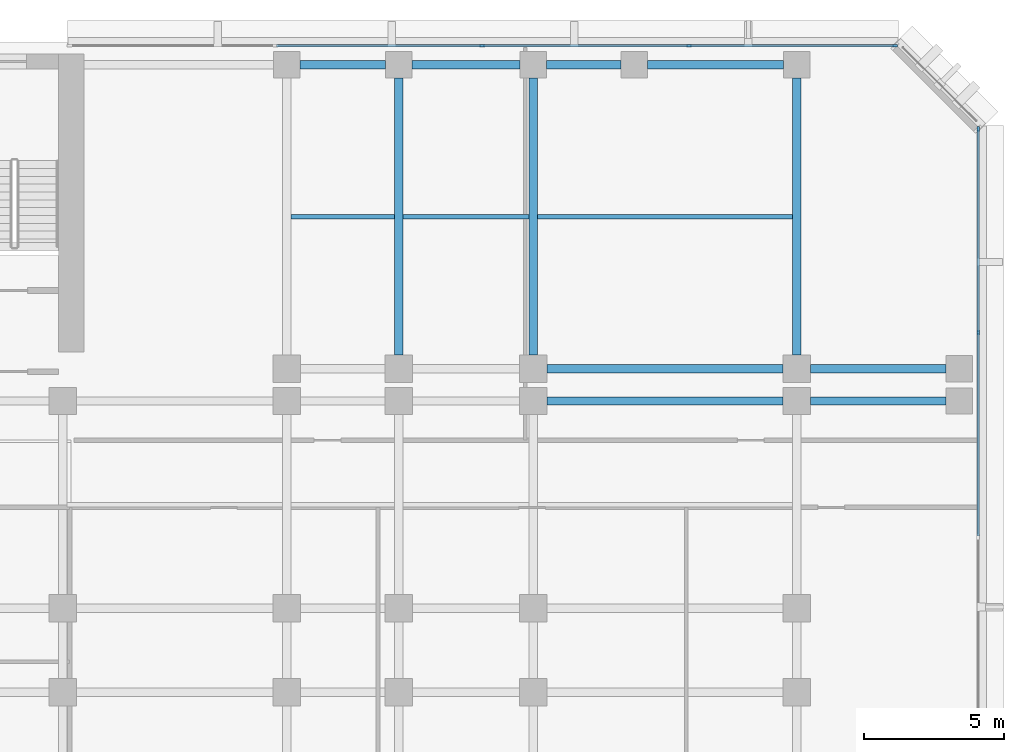
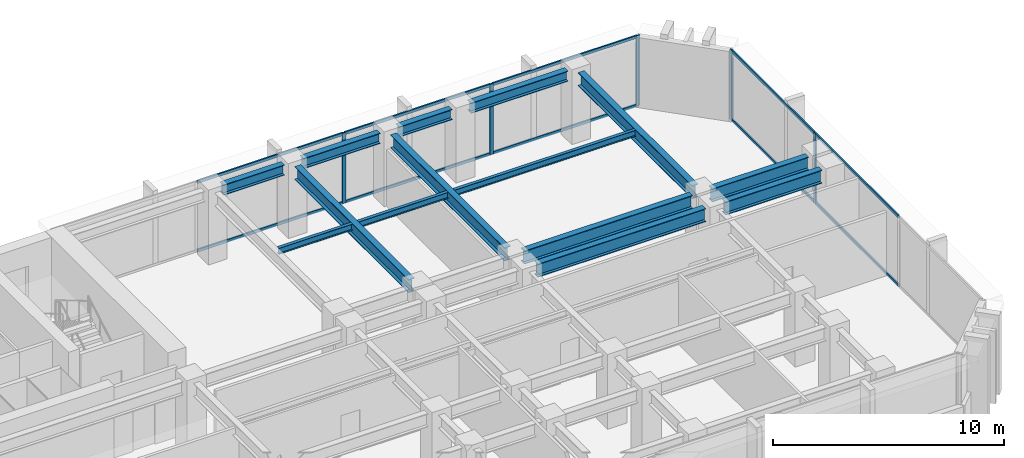
# One storey, part 5 of 14: 15 members, 14 beams, 2 elements without a shape of their own.
"""IFC4 building model written with IfcOpenShell, lengths in metres."""

import ifcopenshell
import ifcopenshell.guid

model = None  # the IFC model being written
_history = None  # IfcOwnerHistory: only IFC2X3 demands one
_inside = {}  # id of a spatial element -> (the spatial element, [elements in it])
_under = {}  # id of a project, library or spatial element -> (it, [spatial elements below it])
_declared = {}  # id of a project -> (the project, [libraries it declares])
_typed = {}  # id of a type object -> (the type object, [elements of that type])
_made_of = {}  # id of a material, layer set ... -> (it, [elements and type objects made of it])


def new_model(schema):
    """Start an empty IFC model of exactly this schema.

    Asked for "IFC4X3", IfcOpenShell would pick the latest addendum, in which some entities
    have other attributes; the version numbers below select the first issue.
    IFC2X3 requires an IfcOwnerHistory on every rooted entity: one is made here for all.
    """
    global model, _history
    if schema == "IFC4X3":
        model = ifcopenshell.file(schema_version=(4, 3, 0, 0))
    else:
        model = ifcopenshell.file(schema=schema)
    _inside.clear()
    _under.clear()
    _declared.clear()
    _typed.clear()
    _made_of.clear()
    _history = None
    if model.schema == "IFC2X3":
        org = make("IfcOrganization", Name="unknown")
        user = make(
            "IfcPersonAndOrganization",
            ThePerson=make("IfcPerson", FamilyName="unknown"),
            TheOrganization=org,
        )
        app = make(
            "IfcApplication",
            ApplicationDeveloper=org,
            Version="unknown",
            ApplicationFullName="unknown",
            ApplicationIdentifier="unknown",
        )
        _history = make(
            "IfcOwnerHistory",
            OwningUser=user,
            OwningApplication=app,
            ChangeAction="ADDED",
            CreationDate=0,
        )
    return model


def make(cls, **values):
    """One entity of the class cls with the attributes given. An attribute that is None is left unset."""
    return model.create_entity(
        cls, **{name: value for name, value in values.items() if value is not None}
    )


def rooted(cls, **values):
    """An entity with a GlobalId (a new one), such as an element, a storey or a relation."""
    return make(cls, GlobalId=ifcopenshell.guid.new(), OwnerHistory=_history, **values)


def si_unit(unit_type, name, prefix=None):
    """IfcSIUnit, for example si_unit("LENGTHUNIT", "METRE", prefix="MILLI")."""
    return make("IfcSIUnit", UnitType=unit_type, Prefix=prefix, Name=name)


def assignment(units):
    """IfcUnitAssignment: the units of a project."""
    return None if units is None else make("IfcUnitAssignment", Units=units)


def point(xyz):
    """IfcCartesianPoint."""
    return None if xyz is None else make("IfcCartesianPoint", Coordinates=xyz)


def direction(xyz):
    """IfcDirection."""
    return None if xyz is None else make("IfcDirection", DirectionRatios=xyz)


def frame(location, z_axis=None, x_axis=None):
    """IfcAxis2Placement3D, a coordinate frame: its origin and axes. An axis left out is left unset."""
    return make(
        "IfcAxis2Placement3D",
        Location=point(location),
        Axis=direction(z_axis),
        RefDirection=direction(x_axis),
    )


def frame_2d(location, x_axis=None):
    """IfcAxis2Placement2D, a coordinate frame in the plane: its origin and x axis."""
    return make(
        "IfcAxis2Placement2D", Location=point(location), RefDirection=direction(x_axis)
    )


def origin():
    """The frame at (0, 0, 0) with its axes left unset."""
    return frame((0.0, 0.0, 0.0))


def origin_2d():
    """The frame at (0, 0) in the plane with its x axis left unset."""
    return frame_2d((0.0, 0.0))


def place(relative_to, where):
    """IfcLocalPlacement: puts the frame where relative to a parent placement (None: the world)."""
    return make(
        "IfcLocalPlacement", PlacementRelTo=relative_to, RelativePlacement=where
    )


def context(
    kind, dimensions, precision=None, world=None, true_north=None, identifier=None
):
    """IfcGeometricRepresentationContext, for example the 3D "Model" context."""
    return make(
        "IfcGeometricRepresentationContext",
        ContextIdentifier=identifier,
        ContextType=kind,
        CoordinateSpaceDimension=dimensions,
        Precision=precision,
        WorldCoordinateSystem=world,
        TrueNorth=true_north,
    )


def subcontext(parent, identifier, kind, view, scale=None):
    """IfcGeometricRepresentationSubContext, for example "Body" below "Model"."""
    return make(
        "IfcGeometricRepresentationSubContext",
        ContextIdentifier=identifier,
        ContextType=kind,
        ParentContext=parent,
        TargetScale=scale,
        TargetView=view,
    )


def project(units=None, contexts=None):
    """IfcProject with its units and contexts."""
    return rooted(
        "IfcProject",
        Name="project",
        RepresentationContexts=contexts,
        UnitsInContext=assignment(units),
    )


def spatial(cls, under=None, at=None, **own):
    """A site, building, storey or space (cls), placed at a placement, below another one or the project."""
    s = rooted(cls, ObjectPlacement=at, **own)
    if under is not None:
        _under.setdefault(under.id(), (under, []))[1].append(s)
    return s


def profile(cls, at=None, kind="AREA", **sizes):
    """A parametric profile (cls). Its sizes go by their IFC names, for example OverallWidth=200.0."""
    return make(cls, ProfileType=kind, Position=at, **sizes)


def rectangle(**sizes):
    """IfcRectangleProfileDef."""
    return profile("IfcRectangleProfileDef", **sizes)


def i_section(**sizes):
    """IfcIShapeProfileDef."""
    return profile("IfcIShapeProfileDef", **sizes)


def extrude(swept, where, along, depth):
    """IfcExtrudedAreaSolid: the profile swept, set in the frame where, extruded along a direction by depth."""
    return make(
        "IfcExtrudedAreaSolid",
        SweptArea=swept,
        Position=where,
        ExtrudedDirection=direction(along),
        Depth=depth,
    )


def shape(context_of_items, identifier, shape_type, items):
    """IfcShapeRepresentation: the items that make up one representation, for example the "Body"."""
    return make(
        "IfcShapeRepresentation",
        ContextOfItems=context_of_items,
        RepresentationIdentifier=identifier,
        RepresentationType=shape_type,
        Items=items,
    )


def material(Name=None, Category=None):
    """IfcMaterial."""
    return make("IfcMaterial", Name=Name, Category=Category)


def layer(
    of_material, thickness, ventilated=None, Name=None, Category=None, Priority=None
):
    """IfcMaterialLayer: one layer of a wall or slab, of a material (None: an air gap)."""
    return make(
        "IfcMaterialLayer",
        Material=of_material,
        LayerThickness=thickness,
        IsVentilated=ventilated,
        Name=Name,
        Category=Category,
        Priority=Priority,
    )


def layer_set(layers, Name=None):
    """IfcMaterialLayerSet."""
    return make("IfcMaterialLayerSet", MaterialLayers=layers, LayerSetName=Name)


def material_profile(
    of_material, cross_section, Name=None, Category=None, Priority=None
):
    """IfcMaterialProfile: a cross section and its material."""
    return make(
        "IfcMaterialProfile",
        Name=Name,
        Material=of_material,
        Profile=cross_section,
        Priority=Priority,
        Category=Category,
    )


def profile_set(profiles, Name=None, composite=None):
    """IfcMaterialProfileSet."""
    return make(
        "IfcMaterialProfileSet",
        Name=Name,
        MaterialProfiles=profiles,
        CompositeProfile=composite,
    )


def made_of(thing, what):
    """Note that an element or type object is made of a material, layer set ...; save() writes the relation."""
    if what is not None:
        _made_of.setdefault(what.id(), (what, []))[1].append(thing)
    return thing


def type_object(cls, material=None, **own):
    """A type object (cls), such as IfcWallType, which elements share."""
    return made_of(rooted(cls, **own), material)


def element(
    cls,
    number,
    at=None,
    inside=None,
    cuts=None,
    type_object=None,
    material=None,
    context=None,
    identifier="Body",
    shape_type=None,
    held_by="IfcProductDefinitionShape",
    body=None,
    shapes=None,
    **own,
):
    """One element of the class cls, such as IfcWall. Its Tag is "e" and its number.

    at: its placement. inside: the storey or other place that contains it. cuts: it is an
    opening in that element (IfcRelVoidsElement). A single representation is given by context,
    identifier, shape_type and body (its items); several are given by shapes. held_by: the class
    of the entity that holds the representations. save() writes the other relations.
    """
    e = rooted(cls, Tag="e%d" % number, ObjectPlacement=at, **own)
    if body is not None:
        shapes = [shape(context, identifier, shape_type, body)]
    if shapes is not None:
        e.Representation = make(held_by, Representations=shapes)
    if inside is not None:
        _inside.setdefault(inside.id(), (inside, []))[1].append(e)
    if cuts is not None:
        rooted(
            "IfcRelVoidsElement", RelatingBuildingElement=cuts, RelatedOpeningElement=e
        )
    if type_object is not None:
        _typed.setdefault(type_object.id(), (type_object, []))[1].append(e)
    return made_of(e, material)


def aggregate(whole, parts):
    """IfcRelAggregates: a whole, such as a stair, and the parts it consists of."""
    return rooted("IfcRelAggregates", RelatingObject=whole, RelatedObjects=parts)


def save(model, path):
    """Write the relations noted so far, then the file.

    IfcRelAggregates (storeys below a building ...), IfcRelContainedInSpatialStructure (elements
    in a storey), IfcRelDefinesByType, IfcRelAssociatesMaterial and IfcRelDeclares: one each for
    every whole, place, type object, material and project.
    """
    for whole, parts in _under.values():
        aggregate(whole, parts)
    for where, things in _inside.values():
        rooted(
            "IfcRelContainedInSpatialStructure",
            RelatedElements=things,
            RelatingStructure=where,
        )
    for kind, things in _typed.values():
        rooted("IfcRelDefinesByType", RelatedObjects=things, RelatingType=kind)
    for what, things in _made_of.values():
        rooted("IfcRelAssociatesMaterial", RelatedObjects=things, RelatingMaterial=what)
    for by, libraries in _declared.values():
        rooted("IfcRelDeclares", RelatingContext=by, RelatedDefinitions=libraries)
    model.write(path)


model = new_model("IFC4")

# Units and contexts
model_context = context("Model", 3, precision=1e-05, world=origin(), true_north=direction((0.0, 1.0)))
body_context = subcontext(model_context, "Body", "Model", "MODEL_VIEW")
ifc_project = project(units=[si_unit("LENGTHUNIT", "METRE"), si_unit("AREAUNIT", "SQUARE_METRE"), si_unit("VOLUMEUNIT", "CUBIC_METRE"), si_unit("PLANEANGLEUNIT", "RADIAN"), si_unit("MASSUNIT", "GRAM", prefix="KILO")], contexts=[model_context])

# Site, building, storey
site_placement = place(None, origin())
site = spatial("IfcSite", under=ifc_project, at=site_placement, CompositionType="ELEMENT")
building_placement = place(site_placement, origin())
building = spatial("IfcBuilding", under=site, at=building_placement, Name="Kefirva Bronze Tower", CompositionType="ELEMENT")
storey_placement = place(building_placement, frame((0.0, 0.0, 34.320068359375)))
storey = spatial("IfcBuildingStorey", under=building, at=storey_placement, Name="L07", CompositionType="ELEMENT", Elevation=34.320068359375)

# Curtain wall, members
ifc_material_1 = material(Name="Bronze anodised aluminium", Category="aluminium")
ifc_layer = layer(ifc_material_1, 0.199951171875, Name="Bronze anodised aluminium")
ifc_layer_set = layer_set([ifc_layer], Name="Bronze anodised aluminium")
curtain_wall_type = type_object("IfcCurtainWallType", Name="Unitised Bronze Ribbon Curtain Wall Zone 1", PredefinedType="USERDEFINED", material=ifc_layer_set)
curtain_wall_1_placement = place(storey_placement, origin())
curtain_wall_1 = element("IfcCurtainWall", 1, at=curtain_wall_1_placement, inside=storey, type_object=curtain_wall_type, Name="L07 Curtain Wall 3", ObjectType="UNITISED CURTAIN WALL", PredefinedType="USERDEFINED")
ifc_material_profile_1 = material_profile(ifc_material_1, rectangle(XDim=0.074951171875, YDim=0.179931640625, at=origin_2d()), Name="ALU 75x180")
ifc_profile_set_1 = profile_set([ifc_material_profile_1], Name="Bronze anodised aluminium")
member_type_1 = type_object("IfcMemberType", Name="Bronze Mullion 75x180", PredefinedType="MULLION", material=ifc_profile_set_1)
member_1_placement = place(storey_placement, frame((55.8798828125, 35.6484375, 0.0), z_axis=(0.0, 0.0, 1.0), x_axis=(-1.0, 0.0, 0.0)))
member_1 = element("IfcMember", 2, at=member_1_placement, type_object=member_type_1, Name="CW-01 mullion 3", PredefinedType="MULLION", context=body_context, shape_type="SweptSolid", body=[
    extrude(rectangle(XDim=0.074951171875, YDim=0.179931640625, at=origin_2d()), origin(), (0.0, 0.0, 1.0), 3.7099609375),
])
member_2_placement = place(storey_placement, frame((55.8798828125, 42.907470703125, 0.0), z_axis=(0.0, 0.0, 1.0), x_axis=(-1.0, 0.0, 0.0)))
member_2 = element("IfcMember", 3, at=member_2_placement, type_object=member_type_1, Name="CW-01 mullion 4", PredefinedType="MULLION", context=body_context, shape_type="SweptSolid", body=[
    extrude(rectangle(XDim=0.074951171875, YDim=0.179931640625, at=origin_2d()), origin(), (0.0, 0.0, 1.0), 3.7099609375),
])

curtain_wall_2_placement = place(storey_placement, origin())
curtain_wall_2 = element("IfcCurtainWall", 4, at=curtain_wall_2_placement, inside=storey, type_object=curtain_wall_type, Name="L07 Curtain Wall 4", ObjectType="UNITISED CURTAIN WALL", PredefinedType="USERDEFINED")
member_3_placement = place(storey_placement, frame((52.907470703125, 45.8798828125, 0.0), z_axis=(0.0, 0.0, 1.0), x_axis=(0.0, -1.0, 0.0)))
member_3 = element("IfcMember", 5, at=member_3_placement, type_object=member_type_1, Name="CW-01 mullion 1", PredefinedType="MULLION", context=body_context, shape_type="SweptSolid", body=[
    extrude(rectangle(XDim=0.074951171875, YDim=0.179931640625, at=origin_2d()), origin(), (0.0, 0.0, 1.0), 3.7099609375),
])
member_4_placement = place(storey_placement, frame((45.56005859375, 45.8798828125, 0.0), z_axis=(0.0, 0.0, 1.0), x_axis=(0.0, -1.0, 0.0)))
member_4 = element("IfcMember", 6, at=member_4_placement, type_object=member_type_1, Name="CW-01 mullion 2", PredefinedType="MULLION", context=body_context, shape_type="SweptSolid", body=[
    extrude(rectangle(XDim=0.074951171875, YDim=0.179931640625, at=origin_2d()), origin(), (0.0, 0.0, 1.0), 3.7099609375),
])
member_5_placement = place(storey_placement, frame((38.175048828125, 45.8798828125, 0.0), z_axis=(0.0, 0.0, 1.0), x_axis=(0.0, -1.0, 0.0)))
member_5 = element("IfcMember", 7, at=member_5_placement, type_object=member_type_1, Name="CW-01 mullion 3", PredefinedType="MULLION", context=body_context, shape_type="SweptSolid", body=[
    extrude(rectangle(XDim=0.074951171875, YDim=0.179931640625, at=origin_2d()), origin(), (0.0, 0.0, 1.0), 3.7099609375),
])

# Member
ifc_material_profile_2 = material_profile(ifc_material_1, rectangle(XDim=0.074951171875, YDim=0.14990234375, at=origin_2d()), Name="ALU 75x150")
ifc_profile_set_2 = profile_set([ifc_material_profile_2], Name="Bronze anodised aluminium")
member_type_2 = type_object("IfcMemberType", Name="Bronze Transom 75x150", PredefinedType="USERDEFINED", material=ifc_profile_set_2)
member_6_placement = place(storey_placement, frame((55.8798828125, 28.38916015625, 0.037353515625), z_axis=(0.0, 1.0, 0.0), x_axis=(-1.0, 0.0, 0.0)))
member_6 = element("IfcMember", 8, at=member_6_placement, type_object=member_type_2, Name="CW-01 transom 2.1", ObjectType="TRANSOM", PredefinedType="USERDEFINED", context=body_context, shape_type="SweptSolid", body=[
    extrude(rectangle(XDim=0.074951171875, YDim=0.14990234375, at=origin_2d()), origin(), (0.0, 0.0, 1.0), 7.2216796875),
])

member_7_placement = place(storey_placement, frame((55.8798828125, 28.38916015625, 3.67236328125), z_axis=(0.0, 1.0, 0.0), x_axis=(-1.0, 0.0, 0.0)))
member_7 = element("IfcMember", 9, at=member_7_placement, type_object=member_type_2, Name="CW-01 transom 2.2", ObjectType="TRANSOM", PredefinedType="USERDEFINED", context=body_context, shape_type="SweptSolid", body=[
    extrude(rectangle(XDim=0.074951171875, YDim=0.14990234375, at=origin_2d()), origin(), (0.0, 0.0, 1.0), 7.2216796875),
])

member_8_placement = place(storey_placement, frame((55.8798828125, 35.685791015625, 0.037353515625), z_axis=(0.0, 1.0, 0.0), x_axis=(-1.0, 0.0, 0.0)))
member_8 = element("IfcMember", 10, at=member_8_placement, type_object=member_type_2, Name="CW-01 transom 3.1", ObjectType="TRANSOM", PredefinedType="USERDEFINED", context=body_context, shape_type="SweptSolid", body=[
    extrude(rectangle(XDim=0.074951171875, YDim=0.14990234375, at=origin_2d()), origin(), (0.0, 0.0, 1.0), 7.184326171875),
])

member_9_placement = place(storey_placement, frame((55.8798828125, 35.685791015625, 3.67236328125), z_axis=(0.0, 1.0, 0.0), x_axis=(-1.0, 0.0, 0.0)))
member_9 = element("IfcMember", 11, at=member_9_placement, type_object=member_type_2, Name="CW-01 transom 3.2", ObjectType="TRANSOM", PredefinedType="USERDEFINED", context=body_context, shape_type="SweptSolid", body=[
    extrude(rectangle(XDim=0.074951171875, YDim=0.14990234375, at=origin_2d()), origin(), (0.0, 0.0, 1.0), 7.184326171875),
])

aggregate(curtain_wall_1, [member_1, member_2, member_6, member_7, member_8, member_9])

member_10_placement = place(storey_placement, frame((52.8701171875, 45.8798828125, 0.037353515625), z_axis=(-1.0, 0.0, 0.0), x_axis=(0.0, -1.0, 0.0)))
member_10 = element("IfcMember", 12, at=member_10_placement, type_object=member_type_2, Name="CW-01 transom 1.1", ObjectType="TRANSOM", PredefinedType="USERDEFINED", context=body_context, shape_type="SweptSolid", body=[
    extrude(rectangle(XDim=0.074951171875, YDim=0.14990234375, at=origin_2d()), origin(), (0.0, 0.0, 1.0), 7.272705078125),
])

member_11_placement = place(storey_placement, frame((52.8701171875, 45.8798828125, 3.67236328125), z_axis=(-1.0, 0.0, 0.0), x_axis=(0.0, -1.0, 0.0)))
member_11 = element("IfcMember", 13, at=member_11_placement, type_object=member_type_2, Name="CW-01 transom 1.2", ObjectType="TRANSOM", PredefinedType="USERDEFINED", context=body_context, shape_type="SweptSolid", body=[
    extrude(rectangle(XDim=0.074951171875, YDim=0.14990234375, at=origin_2d()), origin(), (0.0, 0.0, 1.0), 7.272705078125),
])

member_12_placement = place(storey_placement, frame((45.5224609375, 45.8798828125, 0.037353515625), z_axis=(-1.0, 0.0, 0.0), x_axis=(0.0, -1.0, 0.0)))
member_12 = element("IfcMember", 14, at=member_12_placement, type_object=member_type_2, Name="CW-01 transom 2.1", ObjectType="TRANSOM", PredefinedType="USERDEFINED", context=body_context, shape_type="SweptSolid", body=[
    extrude(rectangle(XDim=0.074951171875, YDim=0.14990234375, at=origin_2d()), origin(), (0.0, 0.0, 1.0), 7.31005859375),
])

member_13_placement = place(storey_placement, frame((45.5224609375, 45.8798828125, 3.67236328125), z_axis=(-1.0, 0.0, 0.0), x_axis=(0.0, -1.0, 0.0)))
member_13 = element("IfcMember", 15, at=member_13_placement, type_object=member_type_2, Name="CW-01 transom 2.2", ObjectType="TRANSOM", PredefinedType="USERDEFINED", context=body_context, shape_type="SweptSolid", body=[
    extrude(rectangle(XDim=0.074951171875, YDim=0.14990234375, at=origin_2d()), origin(), (0.0, 0.0, 1.0), 7.31005859375),
])

member_14_placement = place(storey_placement, frame((38.137451171875, 45.8798828125, 0.037353515625), z_axis=(-1.0, 0.0, 0.0), x_axis=(0.0, -1.0, 0.0)))
member_14 = element("IfcMember", 16, at=member_14_placement, type_object=member_type_2, Name="CW-01 transom 3.1", ObjectType="TRANSOM", PredefinedType="USERDEFINED", context=body_context, shape_type="SweptSolid", body=[
    extrude(rectangle(XDim=0.074951171875, YDim=0.14990234375, at=origin_2d()), origin(), (0.0, 0.0, 1.0), 7.31005859375),
])

member_15_placement = place(storey_placement, frame((38.137451171875, 45.8798828125, 3.67236328125), z_axis=(-1.0, 0.0, 0.0), x_axis=(0.0, -1.0, 0.0)))
member_15 = element("IfcMember", 17, at=member_15_placement, type_object=member_type_2, Name="CW-01 transom 3.2", ObjectType="TRANSOM", PredefinedType="USERDEFINED", context=body_context, shape_type="SweptSolid", body=[
    extrude(rectangle(XDim=0.074951171875, YDim=0.14990234375, at=origin_2d()), origin(), (0.0, 0.0, 1.0), 7.31005859375),
])

aggregate(curtain_wall_2, [member_3, member_4, member_5, member_10, member_11, member_12, member_13, member_14, member_15])

# Beams
ifc_material_2 = material(Name="Steel S355", Category="steel")
ifc_material_profile_3 = material_profile(ifc_material_2, i_section(OverallWidth=0.159912109375, OverallDepth=0.330078125, WebThickness=0.007568359375, FlangeThickness=0.011474609375, at=origin_2d()), Name="IPE 330")
ifc_profile_set_3 = profile_set([ifc_material_profile_3], Name="Steel S355")
beam_type_1 = type_object("IfcBeamType", Name="Steel Floor Joist IPE 330", PredefinedType="JOIST", material=ifc_profile_set_3)
beam_1_placement = place(storey_placement, frame((31.35009765625, 39.784912109375, 3.544921875), z_axis=(1.0, 0.0, 0.0), x_axis=(0.0, 1.0, 0.0)))
element("IfcBeam", 18, at=beam_1_placement, inside=storey, type_object=beam_type_1, Name="L07 JST-L07-31-397", PredefinedType="JOIST", context=body_context, shape_type="SweptSolid", body=[
    extrude(i_section(OverallWidth=0.159912109375, OverallDepth=0.330078125, WebThickness=0.007568359375, FlangeThickness=0.011474609375, at=origin_2d()), origin(), (0.0, 0.0, 1.0), 3.699951171875),
])
beam_2_placement = place(storey_placement, frame((35.35009765625, 39.784912109375, 3.544921875), z_axis=(1.0, 0.0, 0.0), x_axis=(0.0, 1.0, 0.0)))
element("IfcBeam", 19, at=beam_2_placement, inside=storey, type_object=beam_type_1, Name="L07 JST-L07-35-397", PredefinedType="JOIST", context=body_context, shape_type="SweptSolid", body=[
    extrude(i_section(OverallWidth=0.159912109375, OverallDepth=0.330078125, WebThickness=0.007568359375, FlangeThickness=0.011474609375, at=origin_2d()), origin(), (0.0, 0.0, 1.0), 4.5),
])
beam_3_placement = place(storey_placement, frame((40.14990234375, 39.784912109375, 3.544921875), z_axis=(1.0, 0.0, 0.0), x_axis=(0.0, 1.0, 0.0)))
element("IfcBeam", 20, at=beam_3_placement, inside=storey, type_object=beam_type_1, Name="L07 JST-L07-40-397", PredefinedType="JOIST", context=body_context, shape_type="SweptSolid", body=[
    extrude(i_section(OverallWidth=0.159912109375, OverallDepth=0.330078125, WebThickness=0.007568359375, FlangeThickness=0.011474609375, at=origin_2d()), origin(), (0.0, 0.0, 1.0), 9.10009765625),
])
ifc_material_profile_4 = material_profile(ifc_material_2, i_section(OverallWidth=0.300048828125, OverallDepth=0.699951171875, WebThickness=0.01708984375, FlangeThickness=0.031982421875, at=origin_2d()), Name="HEB 700")
ifc_profile_set_4 = profile_set([ifc_material_profile_4], Name="Steel S355")
beam_type_2 = type_object("IfcBeamType", Name="Steel Girder HEB 700", PredefinedType="USERDEFINED", material=ifc_profile_set_4)
beam_4_placement = place(storey_placement, frame((40.489990234375, 33.199951171875, 3.35986328125), z_axis=(1.0, 0.0, 0.0), x_axis=(0.0, 1.0, 0.0)))
element("IfcBeam", 21, at=beam_4_placement, inside=storey, type_object=beam_type_2, Name="L07 BM-L07-EW-40-332", ObjectType="GIRDER", PredefinedType="USERDEFINED", context=body_context, shape_type="SweptSolid", body=[
    extrude(i_section(OverallWidth=0.300048828125, OverallDepth=0.699951171875, WebThickness=0.01708984375, FlangeThickness=0.031982421875, at=origin_2d()), origin(), (0.0, 0.0, 1.0), 8.419921875),
])
beam_5_placement = place(storey_placement, frame((49.889892578125, 33.199951171875, 3.35986328125), z_axis=(1.0, 0.0, 0.0), x_axis=(0.0, 1.0, 0.0)))
element("IfcBeam", 22, at=beam_5_placement, inside=storey, type_object=beam_type_2, Name="L07 BM-L07-EW-49-332", ObjectType="GIRDER", PredefinedType="USERDEFINED", context=body_context, shape_type="SweptSolid", body=[
    extrude(i_section(OverallWidth=0.300048828125, OverallDepth=0.699951171875, WebThickness=0.01708984375, FlangeThickness=0.031982421875, at=origin_2d()), origin(), (0.0, 0.0, 1.0), 4.840087890625),
])
beam_6_placement = place(storey_placement, frame((40.489990234375, 34.35009765625, 3.35986328125), z_axis=(1.0, 0.0, 0.0), x_axis=(0.0, 1.0, 0.0)))
element("IfcBeam", 23, at=beam_6_placement, inside=storey, type_object=beam_type_2, Name="L07 BM-L07-EW-40-344", ObjectType="GIRDER", PredefinedType="USERDEFINED", context=body_context, shape_type="SweptSolid", body=[
    extrude(i_section(OverallWidth=0.300048828125, OverallDepth=0.699951171875, WebThickness=0.01708984375, FlangeThickness=0.031982421875, at=origin_2d()), origin(), (0.0, 0.0, 1.0), 8.419921875),
])
beam_7_placement = place(storey_placement, frame((49.889892578125, 34.35009765625, 3.35986328125), z_axis=(1.0, 0.0, 0.0), x_axis=(0.0, 1.0, 0.0)))
element("IfcBeam", 24, at=beam_7_placement, inside=storey, type_object=beam_type_2, Name="L07 BM-L07-EW-49-344", ObjectType="GIRDER", PredefinedType="USERDEFINED", context=body_context, shape_type="SweptSolid", body=[
    extrude(i_section(OverallWidth=0.300048828125, OverallDepth=0.699951171875, WebThickness=0.01708984375, FlangeThickness=0.031982421875, at=origin_2d()), origin(), (0.0, 0.0, 1.0), 4.840087890625),
])
for number, where, z_axis, x_axis, name in (
    (25, (35.199951171875, 34.840087890625, 3.35986328125), (0.0, 1.0, 0.0), (-1.0, 0.0, 0.0), "L07 BM-L07-NS-352-34"),
    (26, (40.0, 34.840087890625, 3.35986328125), (0.0, 1.0, 0.0), (-1.0, 0.0, 0.0), "L07 BM-L07-NS-400-34"),
    (27, (49.39990234375, 34.840087890625, 3.35986328125), (0.0, 1.0, 0.0), (-1.0, 0.0, 0.0), "L07 BM-L07-NS-494-34"),
):
    element("IfcBeam", number, at=place(storey_placement, frame(where, z_axis=z_axis, x_axis=x_axis)), inside=storey, type_object=beam_type_2, Name=name, ObjectType="GIRDER", PredefinedType="USERDEFINED", context=body_context, shape_type="SweptSolid", body=[
        extrude(i_section(OverallWidth=0.300048828125, OverallDepth=0.699951171875, WebThickness=0.01708984375, FlangeThickness=0.031982421875, at=origin_2d()), origin(), (0.0, 0.0, 1.0), 9.889892578125),
    ])
ifc_material_profile_5 = material_profile(ifc_material_2, i_section(OverallWidth=0.300048828125, OverallDepth=0.550048828125, WebThickness=0.014892578125, FlangeThickness=0.029052734375, at=origin_2d()), Name="HEB 550")
ifc_profile_set_5 = profile_set([ifc_material_profile_5], Name="Steel S355")
beam_type_3 = type_object("IfcBeamType", Name="Steel Spandrel HEB 550 Ext", PredefinedType="SPANDREL", material=ifc_profile_set_5)
beam_8_placement = place(storey_placement, frame((31.669921875, 45.199951171875, 3.434814453125), z_axis=(1.0, 0.0, 0.0), x_axis=(0.0, 1.0, 0.0)))
element("IfcBeam", 28, at=beam_8_placement, inside=storey, type_object=beam_type_3, Name="L07 BM-L07-EW-31-452", PredefinedType="SPANDREL", context=body_context, shape_type="SweptSolid", body=[
    extrude(i_section(OverallWidth=0.300048828125, OverallDepth=0.550048828125, WebThickness=0.014892578125, FlangeThickness=0.029052734375, at=origin_2d()), origin(), (0.0, 0.0, 1.0), 3.06005859375),
])
beam_9_placement = place(storey_placement, frame((35.669921875, 45.199951171875, 3.434814453125), z_axis=(1.0, 0.0, 0.0), x_axis=(0.0, 1.0, 0.0)))
element("IfcBeam", 29, at=beam_9_placement, inside=storey, type_object=beam_type_3, Name="L07 BM-L07-EW-35-452", PredefinedType="SPANDREL", context=body_context, shape_type="SweptSolid", body=[
    extrude(i_section(OverallWidth=0.300048828125, OverallDepth=0.550048828125, WebThickness=0.014892578125, FlangeThickness=0.029052734375, at=origin_2d()), origin(), (0.0, 0.0, 1.0), 3.860107421875),
])
beam_10_placement = place(storey_placement, frame((40.469970703125, 45.199951171875, 3.434814453125), z_axis=(1.0, 0.0, 0.0), x_axis=(0.0, 1.0, 0.0)))
element("IfcBeam", 30, at=beam_10_placement, inside=storey, type_object=beam_type_3, Name="L07 BM-L07-EW-40-452", PredefinedType="SPANDREL", context=body_context, shape_type="SweptSolid", body=[
    extrude(i_section(OverallWidth=0.300048828125, OverallDepth=0.550048828125, WebThickness=0.014892578125, FlangeThickness=0.029052734375, at=origin_2d()), origin(), (0.0, 0.0, 1.0), 2.659912109375),
])
beam_11_placement = place(storey_placement, frame((44.070068359375, 45.199951171875, 3.434814453125), z_axis=(1.0, 0.0, 0.0), x_axis=(0.0, 1.0, 0.0)))
element("IfcBeam", 31, at=beam_11_placement, inside=storey, type_object=beam_type_3, Name="L07 BM-L07-EW-43-452", PredefinedType="SPANDREL", context=body_context, shape_type="SweptSolid", body=[
    extrude(i_section(OverallWidth=0.300048828125, OverallDepth=0.550048828125, WebThickness=0.014892578125, FlangeThickness=0.029052734375, at=origin_2d()), origin(), (0.0, 0.0, 1.0), 4.85986328125),
])

save(model, "model.ifc")
